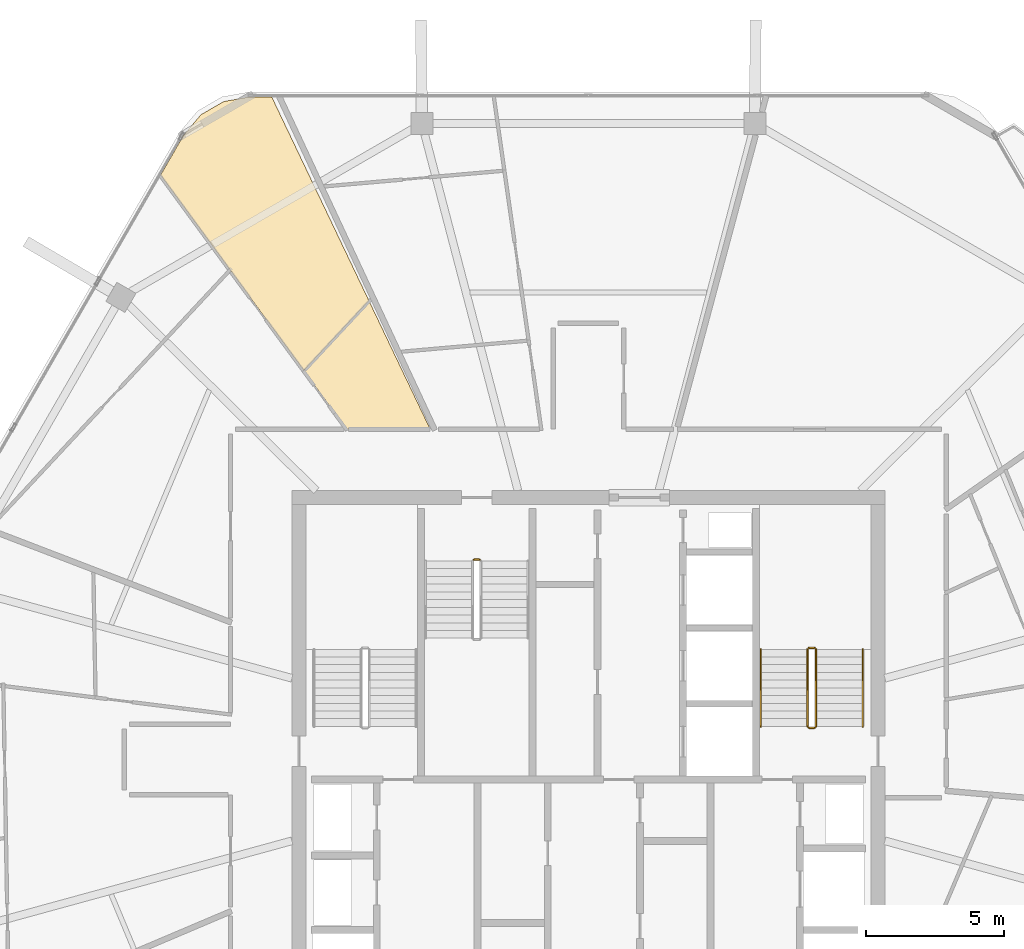
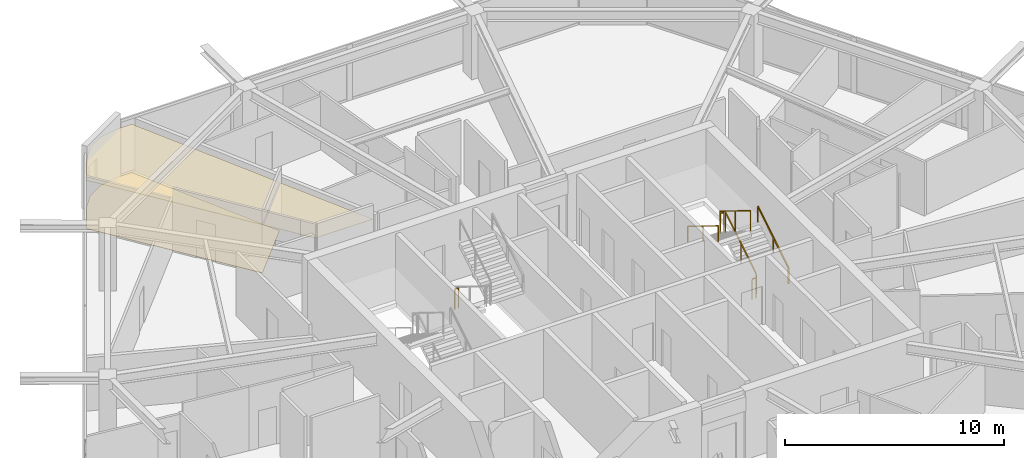
# One storey, part 20 of 21: 7 railings, 3 coverings.
"""IFC4 building model written with IfcOpenShell, lengths in metres."""

from ifc_helpers import new_model, si_unit, direction, frame, origin, origin_2d, place, context, subcontext, project, spatial, polyline, rectangle, outline, extrude, material, layer, layer_set, type_object, element, save


model = new_model("IFC4")

# Units and contexts
model_context = context("Model", 3, precision=1e-05, world=origin(), true_north=direction((0.0, 1.0)))
body_context = subcontext(model_context, "Body", "Model", "MODEL_VIEW")
ifc_project = project(units=[si_unit("LENGTHUNIT", "METRE"), si_unit("AREAUNIT", "SQUARE_METRE"), si_unit("VOLUMEUNIT", "CUBIC_METRE"), si_unit("PLANEANGLEUNIT", "RADIAN"), si_unit("MASSUNIT", "GRAM", prefix="KILO")], contexts=[model_context])

# Site, building, storey
site_placement = place(None, origin())
site = spatial("IfcSite", under=ifc_project, at=site_placement, CompositionType="ELEMENT")
building_placement = place(site_placement, origin())
building = spatial("IfcBuilding", under=site, at=building_placement, Name="Zuhravey Tower", CompositionType="ELEMENT")
storey_placement = place(building_placement, frame((0.0, 0.0, 319.60009765625)))
storey = spatial("IfcBuildingStorey", under=building, at=storey_placement, Name="L81", CompositionType="ELEMENT", Elevation=319.60009765625)

# Coverings
ifc_material_1 = material(Name="Mineral-fibre acoustic ceiling tile")
ifc_layer_1 = layer(ifc_material_1, 0.02490234375)
ifc_layer_set_1 = layer_set([ifc_layer_1], Name="Mineral-fibre acoustic ceiling tile")
covering_type_1 = type_object("IfcCoveringType", Name="Acoustic Suspended Ceiling", PredefinedType="CEILING", material=ifc_layer_set_1)
covering_1_placement = place(storey_placement, frame((0.0, 0.0, 2.68994140625)))
element("IfcCovering", 1, at=covering_1_placement, inside=storey, type_object=covering_type_1, Name="L81 Acoustic Suspended Ceiling CLG1", PredefinedType="CEILING", context=body_context, shape_type="SweptSolid", body=[
    extrude(outline(polyline([(22.776611328125, 55.864501953125), (23.739013671875, 56.0341796875), (24.51416015625, 56.0341796875), (28.040283203125, 48.6416015625), (25.67919921875, 46.109619140625), (20.484375, 53.1943359375), (21.31640625, 54.635498046875), (21.944580078125, 55.3837890625), (22.776611328125, 55.864501953125)])), origin(), (0.0, 0.0, 1.0), 0.02490234375),
])
ifc_material_2 = material(Name="Porcelain tile finish")
ifc_layer_2 = layer(ifc_material_2, 0.02001953125)
ifc_layer_set_2 = layer_set([ifc_layer_2], Name="Porcelain tile finish")
covering_type_2 = type_object("IfcCoveringType", Name="Apartment Ondol Porcelain Flooring", PredefinedType="FLOORING", material=ifc_layer_set_2)
covering_2_placement = place(storey_placement, origin())
element("IfcCovering", 2, at=covering_2_placement, inside=storey, type_object=covering_type_2, Name="L81 Principal Room Acoustic Flooring", PredefinedType="FLOORING", context=body_context, shape_type="SweptSolid", body=[
    extrude(outline(polyline([(22.776611328125, 55.864501953125), (23.739013671875, 56.0341796875), (24.51416015625, 56.0341796875), (28.040283203125, 48.6416015625), (25.67919921875, 46.109619140625), (20.484375, 53.1943359375), (21.31640625, 54.635498046875), (21.944580078125, 55.3837890625), (22.776611328125, 55.864501953125)])), origin(), (0.0, 0.0, 1.0), 0.02001953125),
])
ifc_material_3 = material(Name="Moisture-resistant gypsum ceiling board")
ifc_layer_3 = layer(ifc_material_3, 0.02001953125)
ifc_layer_set_3 = layer_set([ifc_layer_3], Name="Moisture-resistant gypsum ceiling board")
covering_type_3 = type_object("IfcCoveringType", Name="Moisture-Resistant Ceiling", PredefinedType="CEILING", material=ifc_layer_set_3)
covering_3_placement = place(storey_placement, frame((0.0, 0.0, 2.68994140625)))
element("IfcCovering", 3, at=covering_3_placement, inside=storey, type_object=covering_type_3, Name="L81 Wet-Room Ceiling CLG2", PredefinedType="CEILING", context=body_context, shape_type="SweptSolid", body=[
    extrude(outline(polyline([(30.263671875, 43.97998046875), (27.24072265625, 43.97998046875), (25.703369140625, 46.076904296875), (28.05859375, 48.602783203125), (30.263671875, 43.97998046875)])), origin(), (0.0, 0.0, 1.0), 0.02001953125),
])

# Railings
ifc_material_4 = material(Name="Brushed stainless steel", Category="steel")
railing_type_1 = type_object("IfcRailingType", Name="Stair Wall Handrail 900", PredefinedType="HANDRAIL", material=ifc_material_4)
railing_1_placement = place(storey_placement, frame((45.949951171875, 33.199951171875, 0.172607421875)))
element("IfcRailing", 4, at=railing_1_placement, inside=storey, type_object=railing_type_1, Name="L81 ST2 stair handrail 1", PredefinedType="HANDRAIL", context=body_context, shape_type="SweptSolid", body=[
    extrude(rectangle(XDim=0.048095703125, YDim=0.048095703125, at=origin_2d()), frame((0.0, 0.001708984375, 0.876953125), z_axis=(0.0, 0.851089632645, 0.525020415988), x_axis=(-1.0, 0.0, 0.0)), (0.0, 0.0, 1.0), 3.285888671875),
    extrude(rectangle(XDim=0.0419921875, YDim=0.0419921875, at=origin_2d()), origin(), (0.0, 0.0, 1.0), 0.849853515625),
    extrude(rectangle(XDim=0.0419921875, YDim=0.0419921875, at=origin_2d()), frame((0.0, 1.39990234375, 0.86376953125)), (0.0, 0.0, 1.0), 0.849853515625),
    extrude(rectangle(XDim=0.0419921875, YDim=0.0419921875, at=origin_2d()), frame((0.0, 2.800048828125, 1.727294921875)), (0.0, 0.0, 1.0), 0.849853515625),
])
railing_2_placement = place(storey_placement, frame((42.25, 36.0, 2.072509765625)))
element("IfcRailing", 5, at=railing_2_placement, inside=storey, type_object=railing_type_1, Name="L81 ST2 stair handrail 2", PredefinedType="HANDRAIL", context=body_context, shape_type="SweptSolid", body=[
    extrude(rectangle(XDim=0.048095703125, YDim=0.048095703125, at=origin_2d()), frame((0.0, -0.001708984375, 0.876953125), z_axis=(0.0, -0.851089632645, 0.525020415988), x_axis=(1.0, 0.0, 0.0)), (0.0, 0.0, 1.0), 3.285888671875),
    extrude(rectangle(XDim=0.0419921875, YDim=0.0419921875, at=origin_2d()), origin(), (0.0, 0.0, 1.0), 0.849853515625),
    extrude(rectangle(XDim=0.0419921875, YDim=0.0419921875, at=origin_2d()), frame((0.0, -1.39990234375, 0.86376953125)), (0.0, 0.0, 1.0), 0.849853515625),
    extrude(rectangle(XDim=0.0419921875, YDim=0.0419921875, at=origin_2d()), frame((0.0, -2.800048828125, 1.727294921875)), (0.0, 0.0, 1.0), 0.849853515625),
])
ifc_material_5 = material(Name="Painted tubular steel", Category="steel")
railing_type_2 = type_object("IfcRailingType", Name="Stair Well Guardrail 1150", PredefinedType="GUARDRAIL", material=ifc_material_5)
railing_3_placement = place(storey_placement, frame((44.25, 33.199951171875, 0.172607421875)))
element("IfcRailing", 6, at=railing_3_placement, inside=storey, type_object=railing_type_2, Name="L81 ST2 stair guard 1", PredefinedType="GUARDRAIL", context=body_context, shape_type="SweptSolid", body=[
    extrude(rectangle(XDim=0.048095703125, YDim=0.048095703125, at=origin_2d()), frame((0.0, 0.001708984375, 1.126953125), z_axis=(0.0, 0.851089632645, 0.525020415988), x_axis=(-1.0, 0.0, 0.0)), (0.0, 0.0, 1.0), 3.285888671875),
    extrude(rectangle(XDim=0.0419921875, YDim=0.0419921875, at=origin_2d()), origin(), (0.0, 0.0, 1.0), 1.099853515625),
    extrude(rectangle(XDim=0.0419921875, YDim=0.0419921875, at=origin_2d()), frame((0.0, 1.39990234375, 0.86376953125)), (0.0, 0.0, 1.0), 1.099853515625),
    extrude(rectangle(XDim=0.0419921875, YDim=0.0419921875, at=origin_2d()), frame((0.0, 2.800048828125, 1.727294921875)), (0.0, 0.0, 1.0), 1.099853515625),
])
railing_4_placement = place(storey_placement, frame((44.199951171875, 36.050048828125, 1.89990234375)))
element("IfcRailing", 7, at=railing_4_placement, inside=storey, type_object=railing_type_2, Name="L81 ST2 stair guard 2", PredefinedType="GUARDRAIL", context=body_context, shape_type="SweptSolid", body=[
    extrude(rectangle(XDim=0.048095703125, YDim=0.048095703125, at=origin_2d()), frame((-0.001953125, 0.0, 1.1259765625), z_axis=(-1.0, 0.0, 0.0), x_axis=(0.0, -1.0, 0.0)), (0.0, 0.0, 1.0), 0.196044921875),
    extrude(rectangle(XDim=0.0419921875, YDim=0.0419921875, at=origin_2d()), origin(), (0.0, 0.0, 1.0), 1.099853515625),
    extrude(rectangle(XDim=0.0419921875, YDim=0.0419921875, at=origin_2d()), frame((-0.199951171875, 0.0, 0.0)), (0.0, 0.0, 1.0), 1.099853515625),
])
railing_5_placement = place(storey_placement, frame((43.949951171875, 36.0, 2.072509765625)))
element("IfcRailing", 8, at=railing_5_placement, inside=storey, type_object=railing_type_2, Name="L81 ST2 stair guard 3", PredefinedType="GUARDRAIL", context=body_context, shape_type="SweptSolid", body=[
    extrude(rectangle(XDim=0.048095703125, YDim=0.048095703125, at=origin_2d()), frame((0.0, -0.001708984375, 1.126953125), z_axis=(0.0, -0.851089632645, 0.525020415988), x_axis=(1.0, 0.0, 0.0)), (0.0, 0.0, 1.0), 3.285888671875),
    extrude(rectangle(XDim=0.0419921875, YDim=0.0419921875, at=origin_2d()), origin(), (0.0, 0.0, 1.0), 1.099853515625),
    extrude(rectangle(XDim=0.0419921875, YDim=0.0419921875, at=origin_2d()), frame((0.0, -1.39990234375, 0.86376953125)), (0.0, 0.0, 1.0), 1.099853515625),
    extrude(rectangle(XDim=0.0419921875, YDim=0.0419921875, at=origin_2d()), frame((0.0, -2.800048828125, 1.727294921875)), (0.0, 0.0, 1.0), 1.099853515625),
])
railing_6_placement = place(storey_placement, frame((44.199951171875, 33.14990234375, 0.0)))
element("IfcRailing", 9, at=railing_6_placement, inside=storey, type_object=railing_type_2, Name="L81 ST2 stair guard 4", PredefinedType="GUARDRAIL", context=body_context, shape_type="SweptSolid", body=[
    extrude(rectangle(XDim=0.048095703125, YDim=0.048095703125, at=origin_2d()), frame((-0.001953125, 0.0, 1.1259765625), z_axis=(-1.0, 0.0, 0.0), x_axis=(0.0, -1.0, 0.0)), (0.0, 0.0, 1.0), 0.196044921875),
    extrude(rectangle(XDim=0.0419921875, YDim=0.0419921875, at=origin_2d()), origin(), (0.0, 0.0, 1.0), 1.099853515625),
    extrude(rectangle(XDim=0.0419921875, YDim=0.0419921875, at=origin_2d()), frame((-0.199951171875, 0.0, 0.0)), (0.0, 0.0, 1.0), 1.099853515625),
])
railing_7_placement = place(storey_placement, frame((31.85009765625, 39.25, 0.0)))
element("IfcRailing", 10, at=railing_7_placement, inside=storey, type_object=railing_type_2, Name="L81 ST3 stair guard 4", PredefinedType="GUARDRAIL", context=body_context, shape_type="SweptSolid", body=[
    extrude(rectangle(XDim=0.048095703125, YDim=0.048095703125, at=origin_2d()), frame((0.001953125, 0.0, 1.1259765625), z_axis=(1.0, 0.0, 0.0), x_axis=(0.0, 1.0, 0.0)), (0.0, 0.0, 1.0), 0.196044921875),
    extrude(rectangle(XDim=0.0419921875, YDim=0.0419921875, at=origin_2d()), origin(), (0.0, 0.0, 1.0), 1.099853515625),
    extrude(rectangle(XDim=0.0419921875, YDim=0.0419921875, at=origin_2d()), frame((0.199951171875, 0.0, 0.0)), (0.0, 0.0, 1.0), 1.099853515625),
])

save(model, "model.ifc")
